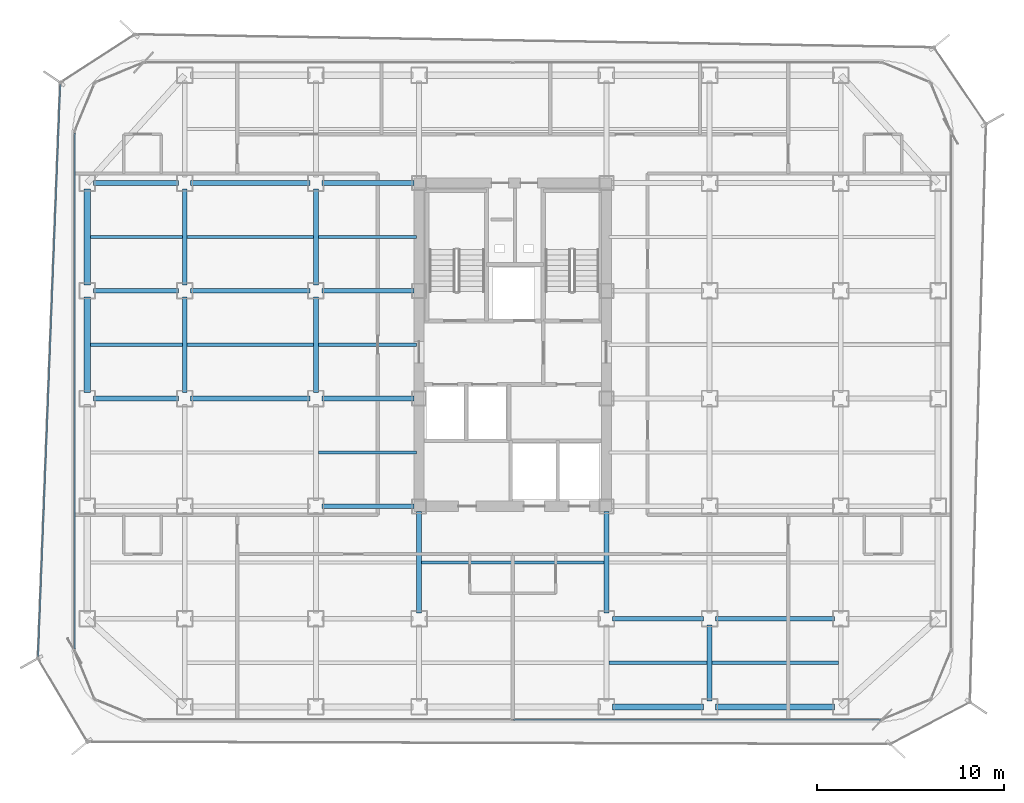
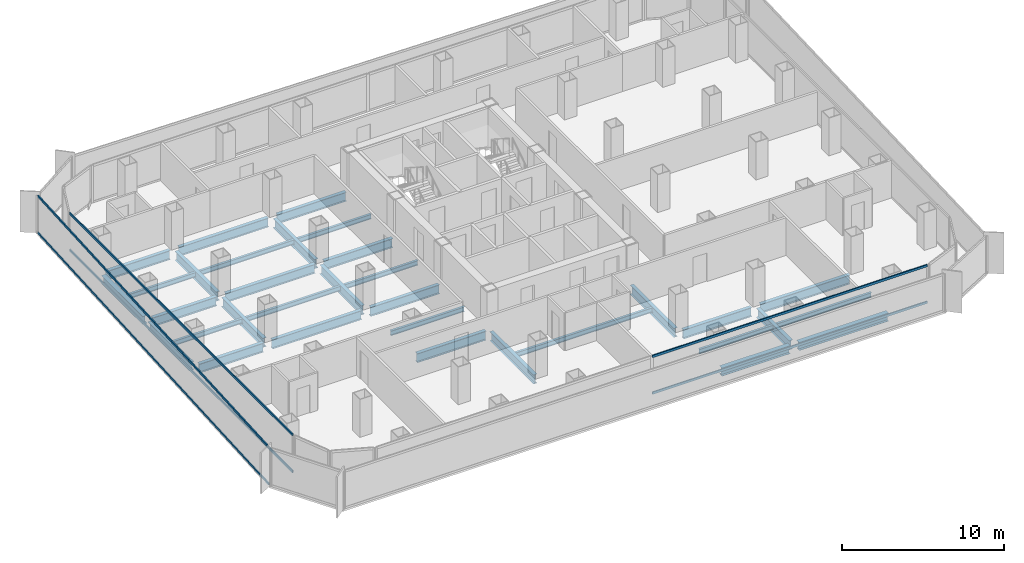
# One storey, part 5 of 21: 33 beams, 6 members, 3 elements without a shape of their own.
"""IFC4 building model written with IfcOpenShell, lengths in metres."""

from ifc_helpers import new_model, si_unit, direction, frame, origin, origin_2d, place, context, subcontext, project, spatial, hollow_rectangle, i_section, extrude, source, transform, mapped, material, layer, layer_set, material_profile, profile_set, type_object, element, aggregate, save


model = new_model("IFC4")

# Units and contexts
model_context = context("Model", 3, precision=1e-05, world=origin(), true_north=direction((0.0, 1.0)))
body_context = subcontext(model_context, "Body", "Model", "MODEL_VIEW")
ifc_project = project(units=[si_unit("LENGTHUNIT", "METRE"), si_unit("AREAUNIT", "SQUARE_METRE"), si_unit("VOLUMEUNIT", "CUBIC_METRE"), si_unit("PLANEANGLEUNIT", "RADIAN"), si_unit("MASSUNIT", "GRAM", prefix="KILO")], contexts=[model_context])

# Site, building, storey
site_placement = place(None, origin())
site = spatial("IfcSite", under=ifc_project, at=site_placement, CompositionType="ELEMENT")
building_placement = place(site_placement, origin())
building = spatial("IfcBuilding", under=site, at=building_placement, Name="Kolveth Station Tower", CompositionType="ELEMENT")
storey_placement = place(building_placement, frame((0.0, 0.0, 140.699951171875)))
storey = spatial("IfcBuildingStorey", under=building, at=storey_placement, Name="L39", CompositionType="ELEMENT", Elevation=140.699951171875)

# Beams
ifc_material_1 = material(Name="Steel S355", Category="steel")
ifc_material_profile_1 = material_profile(ifc_material_1, i_section(OverallWidth=0.323974609375, OverallDepth=0.611083984375, WebThickness=0.0126953125, FlangeThickness=0.01904296875, at=origin_2d()), Name="W610x155")
ifc_profile_set_1 = profile_set([ifc_material_profile_1], Name="Steel S355")
beam_type_1 = type_object("IfcBeamType", Name="Beam_SP2", PredefinedType="SPANDREL", material=ifc_profile_set_1)
shared_shape_1 = source(origin(), body_context, "Body", "SweptSolid", [
    extrude(i_section(OverallWidth=0.323974609375, OverallDepth=0.611083984375, WebThickness=0.0126953125, FlangeThickness=0.01904296875, at=origin_2d()), origin(), (0.0, 0.0, 1.0), 6.35986328125),
])
beam_1_placement = place(storey_placement, frame((34.320068359375, 0.800048828125, -0.555419921875), z_axis=(1.0, 0.0, 0.0), x_axis=(0.0, 1.0, 0.0)))
element("IfcBeam", 1, at=beam_1_placement, inside=storey, type_object=beam_type_1, Name="L39 Perimeter Spandrel BM-L39-PS-5", PredefinedType="SPANDREL", context=body_context, shape_type="MappedRepresentation", body=[
    mapped(shared_shape_1, transform((0.0, 0.0, 0.0), x_axis=(1.0, 0.0, 0.0), y_axis=(0.0, 1.0, 0.0), z_axis=(0.0, 0.0, 1.0), scale=1.0)),
])
shared_shape_2 = source(origin(), body_context, "Body", "SweptSolid", [
    extrude(i_section(OverallWidth=0.323974609375, OverallDepth=0.611083984375, WebThickness=0.0126953125, FlangeThickness=0.01904296875, at=origin_2d()), origin(), (0.0, 0.0, 1.0), 4.85986328125),
])
beam_2_placement = place(storey_placement, frame((28.820068359375, 0.800048828125, -0.555419921875), z_axis=(1.0, 0.0, 0.0), x_axis=(0.0, 1.0, 0.0)))
element("IfcBeam", 2, at=beam_2_placement, inside=storey, type_object=beam_type_1, Name="L39 Perimeter Spandrel BM-L39-PS-4", PredefinedType="SPANDREL", context=body_context, shape_type="MappedRepresentation", body=[
    mapped(shared_shape_2, transform((0.0, 0.0, 0.0), x_axis=(1.0, 0.0, 0.0), y_axis=(0.0, 1.0, 0.0), z_axis=(0.0, 0.0, 1.0), scale=1.0)),
])
shared_shape_3 = source(origin(), body_context, "Body", "SweptSolid", [
    extrude(i_section(OverallWidth=0.323974609375, OverallDepth=0.611083984375, WebThickness=0.0126953125, FlangeThickness=0.01904296875, at=origin_2d()), origin(), (0.0, 0.0, 1.0), 5.10986328125),
])
for number, where, z_axis, x_axis, name in (
    (3, (0.800048828125, 17.570068359375, -0.555419921875), (0.0, 1.0, 0.0), (-1.0, 0.0, 0.0), "L39 Perimeter Spandrel BM-L39-PW-3"),
    (4, (0.800048828125, 23.320068359375, -0.555419921875), (0.0, 1.0, 0.0), (-1.0, 0.0, 0.0), "L39 Perimeter Spandrel BM-L39-PW-4"),
):
    element("IfcBeam", number, at=place(storey_placement, frame(where, z_axis=z_axis, x_axis=x_axis)), inside=storey, type_object=beam_type_1, Name=name, PredefinedType="SPANDREL", context=body_context, shape_type="MappedRepresentation", body=[
        mapped(shared_shape_3, transform((0.0, 0.0, 0.0), x_axis=(1.0, 0.0, 0.0), y_axis=(0.0, 1.0, 0.0), z_axis=(0.0, 0.0, 1.0), scale=1.0)),
    ])
ifc_material_profile_2 = material_profile(ifc_material_1, i_section(OverallWidth=0.25390625, OverallDepth=0.68798828125, WebThickness=0.01318359375, FlangeThickness=0.02099609375, at=origin_2d()), Name="W690x152")
ifc_profile_set_2 = profile_set([ifc_material_profile_2], Name="Steel S355")
beam_type_2 = type_object("IfcBeamType", Name="Beam_B4", PredefinedType="BEAM", material=ifc_profile_set_2)
shared_shape_4 = source(origin(), body_context, "Body", "SweptSolid", [
    extrude(i_section(OverallWidth=0.25390625, OverallDepth=0.68798828125, WebThickness=0.01318359375, FlangeThickness=0.02099609375, at=origin_2d()), origin(), (0.0, 0.0, 1.0), 4.559814453125),
])
for number, where, z_axis, x_axis, name in (
    (5, (1.1201171875, 17.25, -0.593994140625), (1.0, 0.0, 0.0), (0.0, 1.0, 0.0), "L39 Primary Girder BM-L39-GY172-1"),
    (6, (1.1201171875, 23.0, -0.593994140625), (1.0, 0.0, 0.0), (0.0, 1.0, 0.0), "L39 Primary Girder BM-L39-GY230-1"),
    (7, (1.1201171875, 28.75, -0.593994140625), (1.0, 0.0, 0.0), (0.0, 1.0, 0.0), "L39 Primary Girder BM-L39-GY287-1"),
):
    element("IfcBeam", number, at=place(storey_placement, frame(where, z_axis=z_axis, x_axis=x_axis)), inside=storey, type_object=beam_type_2, Name=name, PredefinedType="BEAM", context=body_context, shape_type="MappedRepresentation", body=[
        mapped(shared_shape_4, transform((0.0, 0.0, 0.0), x_axis=(1.0, 0.0, 0.0), y_axis=(0.0, 1.0, 0.0), z_axis=(0.0, 0.0, 1.0), scale=1.0)),
    ])
shared_shape_5 = source(origin(), body_context, "Body", "SweptSolid", [
    extrude(i_section(OverallWidth=0.25390625, OverallDepth=0.68798828125, WebThickness=0.01318359375, FlangeThickness=0.02099609375, at=origin_2d()), origin(), (0.0, 0.0, 1.0), 6.35986328125),
])
for number, where, z_axis, x_axis, name in (
    (8, (34.320068359375, 5.5, -0.593994140625), (1.0, 0.0, 0.0), (0.0, 1.0, 0.0), "L39 Primary Girder BM-L39-GY55-6"),
    (9, (6.320068359375, 17.25, -0.593994140625), (1.0, 0.0, 0.0), (0.0, 1.0, 0.0), "L39 Primary Girder BM-L39-GY172-2"),
    (10, (6.320068359375, 23.0, -0.593994140625), (1.0, 0.0, 0.0), (0.0, 1.0, 0.0), "L39 Primary Girder BM-L39-GY230-2"),
    (11, (6.320068359375, 28.75, -0.593994140625), (1.0, 0.0, 0.0), (0.0, 1.0, 0.0), "L39 Primary Girder BM-L39-GY287-2"),
):
    element("IfcBeam", number, at=place(storey_placement, frame(where, z_axis=z_axis, x_axis=x_axis)), inside=storey, type_object=beam_type_2, Name=name, PredefinedType="BEAM", context=body_context, shape_type="MappedRepresentation", body=[
        mapped(shared_shape_5, transform((0.0, 0.0, 0.0), x_axis=(1.0, 0.0, 0.0), y_axis=(0.0, 1.0, 0.0), z_axis=(0.0, 0.0, 1.0), scale=1.0)),
    ])
shared_shape_6 = source(origin(), body_context, "Body", "SweptSolid", [
    extrude(i_section(OverallWidth=0.25390625, OverallDepth=0.68798828125, WebThickness=0.01318359375, FlangeThickness=0.02099609375, at=origin_2d()), origin(), (0.0, 0.0, 1.0), 4.85986328125),
])
beam_3_placement = place(storey_placement, frame((28.820068359375, 5.5, -0.593994140625), z_axis=(1.0, 0.0, 0.0), x_axis=(0.0, 1.0, 0.0)))
element("IfcBeam", 12, at=beam_3_placement, inside=storey, type_object=beam_type_2, Name="L39 Primary Girder BM-L39-GY55-5", PredefinedType="BEAM", context=body_context, shape_type="MappedRepresentation", body=[
    mapped(shared_shape_6, transform((0.0, 0.0, 0.0), x_axis=(1.0, 0.0, 0.0), y_axis=(0.0, 1.0, 0.0), z_axis=(0.0, 0.0, 1.0), scale=1.0)),
])
shared_shape_7 = source(origin(), body_context, "Body", "SweptSolid", [
    extrude(i_section(OverallWidth=0.25390625, OverallDepth=0.68798828125, WebThickness=0.01318359375, FlangeThickness=0.02099609375, at=origin_2d()), origin(), (0.0, 0.0, 1.0), 4.89990234375),
])
for number, where, z_axis, x_axis, name in (
    (13, (13.320068359375, 11.5, -0.593994140625), (1.0, 0.0, 0.0), (0.0, 1.0, 0.0), "L39 Primary Girder BM-L39-GY115-3"),
    (14, (13.320068359375, 17.25, -0.593994140625), (1.0, 0.0, 0.0), (0.0, 1.0, 0.0), "L39 Primary Girder BM-L39-GY172-3"),
    (15, (13.320068359375, 23.0, -0.593994140625), (1.0, 0.0, 0.0), (0.0, 1.0, 0.0), "L39 Primary Girder BM-L39-GY230-3"),
    (16, (13.320068359375, 28.75, -0.593994140625), (1.0, 0.0, 0.0), (0.0, 1.0, 0.0), "L39 Primary Girder BM-L39-GY287-3"),
):
    element("IfcBeam", number, at=place(storey_placement, frame(where, z_axis=z_axis, x_axis=x_axis)), inside=storey, type_object=beam_type_2, Name=name, PredefinedType="BEAM", context=body_context, shape_type="MappedRepresentation", body=[
        mapped(shared_shape_7, transform((0.0, 0.0, 0.0), x_axis=(1.0, 0.0, 0.0), y_axis=(0.0, 1.0, 0.0), z_axis=(0.0, 0.0, 1.0), scale=1.0)),
    ])
shared_shape_8 = source(origin(), body_context, "Body", "SweptSolid", [
    extrude(i_section(OverallWidth=0.25390625, OverallDepth=0.68798828125, WebThickness=0.01318359375, FlangeThickness=0.02099609375, at=origin_2d()), origin(), (0.0, 0.0, 1.0), 4.059814453125),
])
beam_4_placement = place(storey_placement, frame((34.0, 1.1201171875, -0.593994140625), z_axis=(0.0, 1.0, 0.0), x_axis=(-1.0, 0.0, 0.0)))
element("IfcBeam", 17, at=beam_4_placement, inside=storey, type_object=beam_type_2, Name="L39 Primary Girder BM-L39-GX340-1", PredefinedType="BEAM", context=body_context, shape_type="MappedRepresentation", body=[
    mapped(shared_shape_8, transform((0.0, 0.0, 0.0), x_axis=(1.0, 0.0, 0.0), y_axis=(0.0, 1.0, 0.0), z_axis=(0.0, 0.0, 1.0), scale=1.0)),
])
shared_shape_9 = source(origin(), body_context, "Body", "SweptSolid", [
    extrude(i_section(OverallWidth=0.25390625, OverallDepth=0.68798828125, WebThickness=0.01318359375, FlangeThickness=0.02099609375, at=origin_2d()), origin(), (0.0, 0.0, 1.0), 5.10986328125),
])
for number, where, z_axis, x_axis, name in (
    (18, (6.0, 17.570068359375, -0.593994140625), (0.0, 1.0, 0.0), (-1.0, 0.0, 0.0), "L39 Primary Girder BM-L39-GX60-4"),
    (19, (6.0, 23.320068359375, -0.593994140625), (0.0, 1.0, 0.0), (-1.0, 0.0, 0.0), "L39 Primary Girder BM-L39-GX60-5"),
    (20, (13.0, 17.570068359375, -0.593994140625), (0.0, 1.0, 0.0), (-1.0, 0.0, 0.0), "L39 Primary Girder BM-L39-GX130-4"),
    (21, (13.0, 23.320068359375, -0.593994140625), (0.0, 1.0, 0.0), (-1.0, 0.0, 0.0), "L39 Primary Girder BM-L39-GX130-5"),
):
    element("IfcBeam", number, at=place(storey_placement, frame(where, z_axis=z_axis, x_axis=x_axis)), inside=storey, type_object=beam_type_2, Name=name, PredefinedType="BEAM", context=body_context, shape_type="MappedRepresentation", body=[
        mapped(shared_shape_9, transform((0.0, 0.0, 0.0), x_axis=(1.0, 0.0, 0.0), y_axis=(0.0, 1.0, 0.0), z_axis=(0.0, 0.0, 1.0), scale=1.0)),
    ])
shared_shape_10 = source(origin(), body_context, "Body", "SweptSolid", [
    extrude(i_section(OverallWidth=0.25390625, OverallDepth=0.68798828125, WebThickness=0.01318359375, FlangeThickness=0.02099609375, at=origin_2d()), origin(), (0.0, 0.0, 1.0), 5.39990234375),
])
for number, where, z_axis, x_axis, name in (
    (22, (18.5, 5.820068359375, -0.593994140625), (0.0, 1.0, 0.0), (-1.0, 0.0, 0.0), "L39 Primary Girder BM-L39-GX185-2"),
    (23, (28.5, 5.820068359375, -0.593994140625), (0.0, 1.0, 0.0), (-1.0, 0.0, 0.0), "L39 Primary Girder BM-L39-GX285-2"),
):
    element("IfcBeam", number, at=place(storey_placement, frame(where, z_axis=z_axis, x_axis=x_axis)), inside=storey, type_object=beam_type_2, Name=name, PredefinedType="BEAM", context=body_context, shape_type="MappedRepresentation", body=[
        mapped(shared_shape_10, transform((0.0, 0.0, 0.0), x_axis=(1.0, 0.0, 0.0), y_axis=(0.0, 1.0, 0.0), z_axis=(0.0, 0.0, 1.0), scale=1.0)),
    ])
ifc_material_profile_3 = material_profile(ifc_material_1, i_section(OverallWidth=0.1708984375, OverallDepth=0.35205078125, WebThickness=0.0068359375, FlangeThickness=0.009765625, at=origin_2d()), Name="W360x44")
ifc_profile_set_3 = profile_set([ifc_material_profile_3], Name="Steel S355")
beam_type_3 = type_object("IfcBeamType", Name="Beam_J2", PredefinedType="JOIST", material=ifc_profile_set_3)
shared_shape_11 = source(origin(), body_context, "Body", "SweptSolid", [
    extrude(i_section(OverallWidth=0.1708984375, OverallDepth=0.35205078125, WebThickness=0.0068359375, FlangeThickness=0.009765625, at=origin_2d()), origin(), (0.0, 0.0, 1.0), 4.9150390625),
])
for number, where, z_axis, x_axis, name in (
    (24, (0.9599609375, 20.125, -0.426025390625), (1.0, 0.0, 0.0), (0.0, 1.0, 0.0), "L39 Secondary Joist JST-L39-1-4"),
    (25, (0.9599609375, 25.875, -0.426025390625), (1.0, 0.0, 0.0), (0.0, 1.0, 0.0), "L39 Secondary Joist JST-L39-1-5"),
):
    element("IfcBeam", number, at=place(storey_placement, frame(where, z_axis=z_axis, x_axis=x_axis)), inside=storey, type_object=beam_type_3, Name=name, PredefinedType="JOIST", context=body_context, shape_type="MappedRepresentation", body=[
        mapped(shared_shape_11, transform((0.0, 0.0, 0.0), x_axis=(1.0, 0.0, 0.0), y_axis=(0.0, 1.0, 0.0), z_axis=(0.0, 0.0, 1.0), scale=1.0)),
    ])
shared_shape_12 = source(origin(), body_context, "Body", "SweptSolid", [
    extrude(i_section(OverallWidth=0.1708984375, OverallDepth=0.35205078125, WebThickness=0.0068359375, FlangeThickness=0.009765625, at=origin_2d()), origin(), (0.0, 0.0, 1.0), 6.75),
])
for number, where, z_axis, x_axis, name in (
    (26, (6.125, 20.125, -0.426025390625), (1.0, 0.0, 0.0), (0.0, 1.0, 0.0), "L39 Secondary Joist JST-L39-2-4"),
    (27, (6.125, 25.875, -0.426025390625), (1.0, 0.0, 0.0), (0.0, 1.0, 0.0), "L39 Secondary Joist JST-L39-2-5"),
    (28, (34.125, 3.14990234375, -0.426025390625), (1.0, 0.0, 0.0), (0.0, 1.0, 0.0), "L39 Secondary Joist JST-L39-6-1"),
):
    element("IfcBeam", number, at=place(storey_placement, frame(where, z_axis=z_axis, x_axis=x_axis)), inside=storey, type_object=beam_type_3, Name=name, PredefinedType="JOIST", context=body_context, shape_type="MappedRepresentation", body=[
        mapped(shared_shape_12, transform((0.0, 0.0, 0.0), x_axis=(1.0, 0.0, 0.0), y_axis=(0.0, 1.0, 0.0), z_axis=(0.0, 0.0, 1.0), scale=1.0)),
    ])
shared_shape_13 = source(origin(), body_context, "Body", "SweptSolid", [
    extrude(i_section(OverallWidth=0.1708984375, OverallDepth=0.35205078125, WebThickness=0.0068359375, FlangeThickness=0.009765625, at=origin_2d()), origin(), (0.0, 0.0, 1.0), 5.25),
])
for number, where, z_axis, x_axis, name in (
    (29, (13.125, 14.375, -0.426025390625), (1.0, 0.0, 0.0), (0.0, 1.0, 0.0), "L39 Secondary Joist JST-L39-3-3"),
    (30, (13.125, 20.125, -0.426025390625), (1.0, 0.0, 0.0), (0.0, 1.0, 0.0), "L39 Secondary Joist JST-L39-3-4"),
    (31, (13.125, 25.875, -0.426025390625), (1.0, 0.0, 0.0), (0.0, 1.0, 0.0), "L39 Secondary Joist JST-L39-3-5"),
    (32, (28.625, 3.14990234375, -0.426025390625), (1.0, 0.0, 0.0), (0.0, 1.0, 0.0), "L39 Secondary Joist JST-L39-5-1"),
):
    element("IfcBeam", number, at=place(storey_placement, frame(where, z_axis=z_axis, x_axis=x_axis)), inside=storey, type_object=beam_type_3, Name=name, PredefinedType="JOIST", context=body_context, shape_type="MappedRepresentation", body=[
        mapped(shared_shape_13, transform((0.0, 0.0, 0.0), x_axis=(1.0, 0.0, 0.0), y_axis=(0.0, 1.0, 0.0), z_axis=(0.0, 0.0, 1.0), scale=1.0)),
    ])
shared_shape_14 = source(origin(), body_context, "Body", "SweptSolid", [
    extrude(i_section(OverallWidth=0.1708984375, OverallDepth=0.35205078125, WebThickness=0.0068359375, FlangeThickness=0.009765625, at=origin_2d()), origin(), (0.0, 0.0, 1.0), 9.75),
])
beam_5_placement = place(storey_placement, frame((18.625, 8.5, -0.426025390625), z_axis=(1.0, 0.0, 0.0), x_axis=(0.0, 1.0, 0.0)))
element("IfcBeam", 33, at=beam_5_placement, inside=storey, type_object=beam_type_3, Name="L39 Secondary Joist JST-L39-4-2", PredefinedType="JOIST", context=body_context, shape_type="MappedRepresentation", body=[
    mapped(shared_shape_14, transform((0.0, 0.0, 0.0), x_axis=(1.0, 0.0, 0.0), y_axis=(0.0, 1.0, 0.0), z_axis=(0.0, 0.0, 1.0), scale=1.0)),
])

# Curtain wall, members
ifc_material_2 = material(Name="Aluminium 6063-T6 and low-E dark glass", Category="aluminium")
ifc_layer_1 = layer(ifc_material_2, 0.18994140625)
ifc_layer_set_1 = layer_set([ifc_layer_1], Name="Aluminium 6063-T6 and low-E dark glass")
curtain_wall_type_1 = type_object("IfcCurtainWallType", Name="CurtainWall_CW-Z2", PredefinedType="NOTDEFINED", material=ifc_layer_set_1)
curtain_wall_1_placement = place(storey_placement, origin())
curtain_wall_1 = element("IfcCurtainWall", 34, at=curtain_wall_1_placement, inside=storey, type_object=curtain_wall_type_1, Name="L39 Inner Thermal Curtain Wall 9", PredefinedType="NOTDEFINED")
ifc_material_3 = material(Name="Black anodized aluminium 6063-T6", Category="aluminium")
ifc_material_profile_4 = material_profile(ifc_material_3, hollow_rectangle(XDim=0.080078125, YDim=0.169921875, WallThickness=0.0048828125, at=origin_2d()), Name="ALU-80x170x5")
ifc_profile_set_4 = profile_set([ifc_material_profile_4], Name="Black anodized aluminium 6063-T6")
member_type_1 = type_object("IfcMemberType", Name="Transom_TR2", PredefinedType="USERDEFINED", material=ifc_profile_set_4)
shared_shape_15 = source(origin(), body_context, "Body", "SweptSolid", [
    extrude(hollow_rectangle(XDim=0.080078125, YDim=0.169921875, WallThickness=0.0048828125, at=origin_2d()), origin(), (0.0, 0.0, 1.0), 27.5400390625),
])
member_1_placement = place(storey_placement, frame((0.1201171875, 31.419921875, 0.0400390625), z_axis=(0.0, -1.0, 0.0), x_axis=(1.0, 0.0, 0.0)))
member_1 = element("IfcMember", 35, at=member_1_placement, type_object=member_type_1, Name="CW-Z2 transom 1.1", ObjectType="TRANSOM", PredefinedType="USERDEFINED", context=body_context, shape_type="MappedRepresentation", body=[
    mapped(shared_shape_15, transform((0.0, 0.0, 0.0), x_axis=(1.0, 0.0, 0.0), y_axis=(0.0, 1.0, 0.0), z_axis=(0.0, 0.0, 1.0), scale=1.0)),
])
member_2_placement = place(storey_placement, frame((0.1201171875, 31.419921875, 2.800048828125), z_axis=(0.0, -1.0, 0.0), x_axis=(1.0, 0.0, 0.0)))
member_2 = element("IfcMember", 36, at=member_2_placement, type_object=member_type_1, Name="CW-Z2 transom 1.2", ObjectType="TRANSOM", PredefinedType="USERDEFINED", context=body_context, shape_type="MappedRepresentation", body=[
    mapped(shared_shape_15, transform((0.0, 0.0, 0.0), x_axis=(1.0, 0.0, 0.0), y_axis=(0.0, 1.0, 0.0), z_axis=(0.0, 0.0, 1.0), scale=1.0)),
])
aggregate(curtain_wall_1, [member_1, member_2])

curtain_wall_2_placement = place(storey_placement, origin())
curtain_wall_2 = element("IfcCurtainWall", 37, at=curtain_wall_2_placement, inside=storey, type_object=curtain_wall_type_1, Name="L39 Inner Thermal Curtain Wall 12", PredefinedType="NOTDEFINED")
shared_shape_16 = source(origin(), body_context, "Body", "SweptSolid", [
    extrude(hollow_rectangle(XDim=0.080078125, YDim=0.169921875, WallThickness=0.0048828125, at=origin_2d()), origin(), (0.0, 0.0, 1.0), 19.580078125),
])
member_3_placement = place(storey_placement, frame((23.5400390625, 0.1201171875, 0.0400390625), z_axis=(1.0, 0.0, 0.0), x_axis=(0.0, 1.0, 0.0)))
member_3 = element("IfcMember", 38, at=member_3_placement, type_object=member_type_1, Name="CW-Z2 transom 2.1", ObjectType="TRANSOM", PredefinedType="USERDEFINED", context=body_context, shape_type="MappedRepresentation", body=[
    mapped(shared_shape_16, transform((0.0, 0.0, 0.0), x_axis=(1.0, 0.0, 0.0), y_axis=(0.0, 1.0, 0.0), z_axis=(0.0, 0.0, 1.0), scale=1.0)),
])
member_4_placement = place(storey_placement, frame((23.5400390625, 0.1201171875, 2.800048828125), z_axis=(1.0, 0.0, 0.0), x_axis=(0.0, 1.0, 0.0)))
member_4 = element("IfcMember", 39, at=member_4_placement, type_object=member_type_1, Name="CW-Z2 transom 2.2", ObjectType="TRANSOM", PredefinedType="USERDEFINED", context=body_context, shape_type="MappedRepresentation", body=[
    mapped(shared_shape_16, transform((0.0, 0.0, 0.0), x_axis=(1.0, 0.0, 0.0), y_axis=(0.0, 1.0, 0.0), z_axis=(0.0, 0.0, 1.0), scale=1.0)),
])
aggregate(curtain_wall_2, [member_3, member_4])

ifc_material_4 = material(Name="Black anodized aluminium 6063-T6 and dark solar glass", Category="aluminium")
ifc_layer_2 = layer(ifc_material_4, 0.159912109375)
ifc_layer_set_2 = layer_set([ifc_layer_2], Name="Black anodized aluminium 6063-T6 and dark solar glass")
curtain_wall_type_2 = type_object("IfcCurtainWallType", Name="OUTER SKIN CW-OS", PredefinedType="NOTDEFINED", material=ifc_layer_set_2)
curtain_wall_3_placement = place(storey_placement, origin())
curtain_wall_3 = element("IfcCurtainWall", 40, at=curtain_wall_3_placement, inside=storey, type_object=curtain_wall_type_2, Name="L39 Outer Ventilated Skin Curtain Wall 6", PredefinedType="NOTDEFINED")
ifc_material_profile_5 = material_profile(ifc_material_3, hollow_rectangle(XDim=0.080078125, YDim=0.14990234375, WallThickness=0.0048828125, at=origin_2d()), Name="ALU-80x150x5")
ifc_profile_set_5 = profile_set([ifc_material_profile_5], Name="Black anodized aluminium 6063-T6")
member_type_2 = type_object("IfcMemberType", Name="Transom_TR-OS", PredefinedType="USERDEFINED", material=ifc_profile_set_5)
shared_shape_17 = source(origin(), body_context, "Body", "SweptSolid", [
    extrude(hollow_rectangle(XDim=0.080078125, YDim=0.14990234375, WallThickness=0.0048828125, at=origin_2d()), origin(), (0.0, 0.0, 1.0), 30.55517578125),
])
member_5_placement = place(storey_placement, frame((-0.64306640625, 34.011962890625, 0.0400390625), z_axis=(-0.038760232423, -0.999248539845, 0.0), x_axis=(0.999248539845, -0.038760232423, 0.0)))
member_5 = element("IfcMember", 41, at=member_5_placement, type_object=member_type_2, Name="CW-OS transom 1.1", ObjectType="TRANSOM", PredefinedType="USERDEFINED", context=body_context, shape_type="MappedRepresentation", body=[
    mapped(shared_shape_17, transform((0.0, 0.0, 0.0), x_axis=(1.0, 0.0, 0.0), y_axis=(0.0, 1.0, 0.0), z_axis=(0.0, 0.0, 1.0), scale=1.0)),
])
member_6_placement = place(storey_placement, frame((-0.64306640625, 34.011962890625, 2.800048828125), z_axis=(-0.038760232423, -0.999248539845, 0.0), x_axis=(0.999248539845, -0.038760232423, 0.0)))
member_6 = element("IfcMember", 42, at=member_6_placement, type_object=member_type_2, Name="CW-OS transom 1.2", ObjectType="TRANSOM", PredefinedType="USERDEFINED", context=body_context, shape_type="MappedRepresentation", body=[
    mapped(shared_shape_17, transform((0.0, 0.0, 0.0), x_axis=(1.0, 0.0, 0.0), y_axis=(0.0, 1.0, 0.0), z_axis=(0.0, 0.0, 1.0), scale=1.0)),
])
aggregate(curtain_wall_3, [member_5, member_6])

save(model, "model.ifc")
